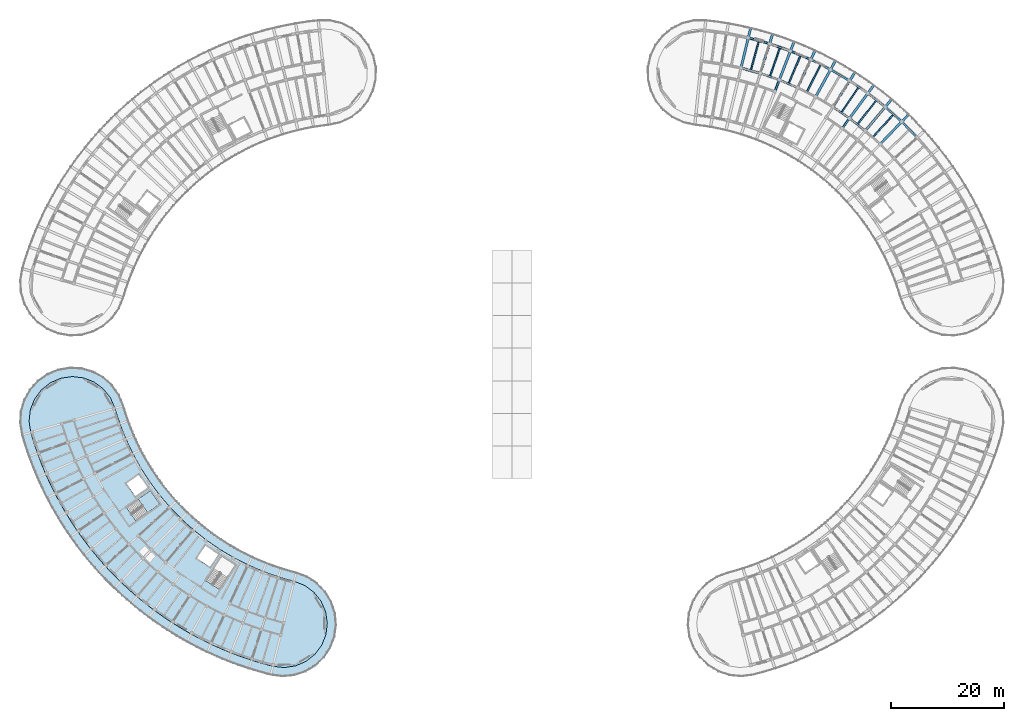
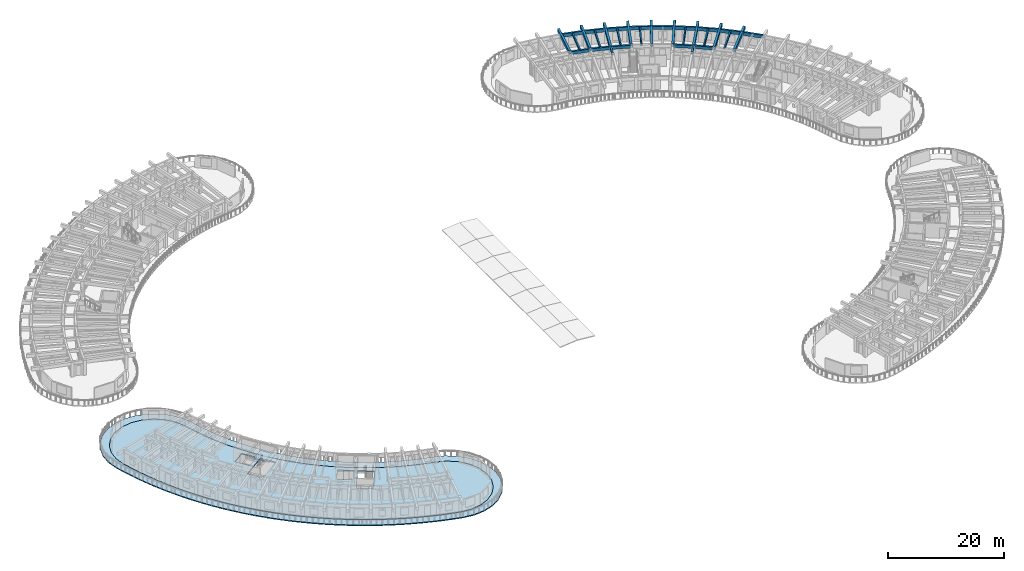
# One storey, part 17 of 69: 32 beams, 3 slabs, 1 element without a shape of its own.
"""IFC4 building model written with IfcOpenShell, lengths in metres."""

from ifc_helpers import new_model, si_unit, direction, frame, origin, origin_2d, place, context, subcontext, project, spatial, polyline, rectangle, outline, extrude, material, layer, layer_set, material_profile, profile_set, type_object, element, aggregate, save


model = new_model("IFC4")

# Units and contexts
model_context = context("Model", 3, precision=1e-05, world=origin(), true_north=direction((0.0, 1.0)))
body_context = subcontext(model_context, "Body", "Model", "MODEL_VIEW")
ifc_project = project(units=[si_unit("LENGTHUNIT", "METRE"), si_unit("AREAUNIT", "SQUARE_METRE"), si_unit("VOLUMEUNIT", "CUBIC_METRE"), si_unit("PLANEANGLEUNIT", "RADIAN"), si_unit("MASSUNIT", "GRAM", prefix="KILO")], contexts=[model_context])

# Site, building, storey
site_placement = place(None, origin())
site = spatial("IfcSite", under=ifc_project, at=site_placement, CompositionType="ELEMENT")
building_placement = place(site_placement, origin())
building = spatial("IfcBuilding", under=site, at=building_placement, Name="Tanwirah Colonnade Gardens", CompositionType="ELEMENT")
storey_placement = place(building_placement, frame((0.0, 0.0, 15.56005859375)))
storey = spatial("IfcBuildingStorey", under=building, at=storey_placement, Name="L04", CompositionType="ELEMENT", Elevation=15.56005859375)

# Beams
ifc_material_1 = material(Name="Precast concrete C40/50", Category="concrete")
ifc_material_profile_1 = material_profile(ifc_material_1, rectangle(XDim=0.320068359375, YDim=0.52001953125, at=origin_2d()), Name="PC-BM 320x520")
ifc_profile_set_1 = profile_set([ifc_material_profile_1], Name="Precast concrete C40/50")
beam_type_1 = type_object("IfcBeamType", Name="BM-PC320", PredefinedType="BEAM", material=ifc_profile_set_1)
beam_1_placement = place(storey_placement, frame((151.727783203125, 102.14990234375, 2.849853515625), z_axis=(0.590895676149, 0.806747977939, 0.0), x_axis=(-0.806747977939, 0.590895676149, 0.0)))
element("IfcBeam", 1, at=beam_1_placement, inside=storey, type_object=beam_type_1, Name="Block B L04 Corridor Tie Beam 10", PredefinedType="BEAM", context=body_context, shape_type="SweptSolid", body=[
    extrude(rectangle(XDim=0.320068359375, YDim=0.52001953125, at=origin_2d()), origin(), (0.0, 0.0, 1.0), 1.900146484375),
])
beam_2_placement = place(storey_placement, frame((139.729248046875, 108.7099609375, 2.849853515625), z_axis=(0.360175656082, 0.932884503444, 0.0), x_axis=(-0.932884503444, 0.360175656082, 0.0)))
element("IfcBeam", 2, at=beam_2_placement, inside=storey, type_object=beam_type_1, Name="Block B L04 Corridor Tie Beam 14", PredefinedType="BEAM", context=body_context, shape_type="SweptSolid", body=[
    extrude(rectangle(XDim=0.320068359375, YDim=0.52001953125, at=origin_2d()), origin(), (0.0, 0.0, 1.0), 1.89990234375),
])
ifc_material_profile_2 = material_profile(ifc_material_1, rectangle(XDim=0.35009765625, YDim=0.60009765625, at=origin_2d()), Name="PC-BM 350x600")
ifc_profile_set_2 = profile_set([ifc_material_profile_2], Name="Precast concrete C40/50")
beam_type_2 = type_object("IfcBeamType", Name="BM-PC350B", PredefinedType="BEAM", material=ifc_profile_set_2)
for number, where, z_axis, x_axis, name in (
    (3, (155.624755859375, 101.697265625, 2.81005859375), (-0.786839882256, 0.617157192044, 0.0), (-0.617157192044, -0.786839882256, 0.0), "Block B L04 Circumferential Beam 9-R2"),
    (4, (152.815185546875, 103.888427734375, 2.81005859375), (-0.825782284145, 0.563989024, 0.0), (-0.563989024, -0.825782284145, 0.0), "Block B L04 Circumferential Beam 10-R2"),
):
    element("IfcBeam", number, at=place(storey_placement, frame(where, z_axis=z_axis, x_axis=x_axis)), inside=storey, type_object=beam_type_2, Name=name, PredefinedType="BEAM", context=body_context, shape_type="SweptSolid", body=[
        extrude(rectangle(XDim=0.35009765625, YDim=0.60009765625, at=origin_2d()), origin(), (0.0, 0.0, 1.0), 3.26318359375),
    ])
for number, where, z_axis, x_axis, name in (
    (5, (143.609375, 109.288818359375, 2.81005859375), (-0.920513294115, 0.390711242938, 0.0), (-0.390711242938, -0.920513294115, 0.0), "Block B L04 Circumferential Beam 13-R2"),
    (6, (140.325927734375, 110.671630859375, 2.81005859375), (-0.944231021702, 0.329283734272, 0.0), (-0.329283734272, -0.944231021702, 0.0), "Block B L04 Circumferential Beam 14-R2"),
):
    element("IfcBeam", number, at=place(storey_placement, frame(where, z_axis=z_axis, x_axis=x_axis)), inside=storey, type_object=beam_type_2, Name=name, PredefinedType="BEAM", context=body_context, shape_type="SweptSolid", body=[
        extrude(rectangle(XDim=0.35009765625, YDim=0.60009765625, at=origin_2d()), origin(), (0.0, 0.0, 1.0), 3.262939453125),
    ])
beam_3_placement = place(storey_placement, frame((136.95849609375, 111.83544921875, 2.81005859375), z_axis=(-0.9638953302, 0.266281415833, 0.0), x_axis=(-0.266281415833, -0.9638953302, 0.0)))
element("IfcBeam", 7, at=beam_3_placement, inside=storey, type_object=beam_type_2, Name="Block B L04 Circumferential Beam 15-R2", PredefinedType="BEAM", context=body_context, shape_type="SweptSolid", body=[
    extrude(rectangle(XDim=0.35009765625, YDim=0.60009765625, at=origin_2d()), origin(), (0.0, 0.0, 1.0), 3.26318359375),
])
ifc_material_2 = material(Name="Precast concrete C45/55", Category="concrete")
ifc_material_profile_3 = material_profile(ifc_material_2, rectangle(XDim=0.419921875, YDim=0.679931640625, at=origin_2d()), Name="PC-BM 420x680")
ifc_profile_set_3 = profile_set([ifc_material_profile_3], Name="Precast concrete C45/55")
beam_type_3 = type_object("IfcBeamType", Name="BM-PC420", PredefinedType="BEAM", material=ifc_profile_set_3)
beam_4_placement = place(storey_placement, frame((158.4990234375, 99.333984375, 2.77001953125), z_axis=(0.691864746793, 0.722027127015, 0.0), x_axis=(-0.722027127015, 0.691864746793, 0.0)))
element("IfcBeam", 8, at=beam_4_placement, inside=storey, type_object=beam_type_3, Name="Block B L04 Outer Radial Precast Girder 8", PredefinedType="BEAM", context=body_context, shape_type="SweptSolid", body=[
    extrude(rectangle(XDim=0.419921875, YDim=0.679931640625, at=origin_2d()), origin(), (0.0, 0.0, 1.0), 7.050048828125),
])
beam_5_placement = place(storey_placement, frame((155.839111328125, 101.7197265625, 2.77001953125), z_axis=(0.642810291951, 0.766025409867, 0.0), x_axis=(-0.766025409867, 0.642810291951, 0.0)))
element("IfcBeam", 9, at=beam_5_placement, inside=storey, type_object=beam_type_3, Name="Block B L04 Outer Radial Precast Girder 9", PredefinedType="BEAM", context=body_context, shape_type="SweptSolid", body=[
    extrude(rectangle(XDim=0.419921875, YDim=0.679931640625, at=origin_2d()), origin(), (0.0, 0.0, 1.0), 7.0498046875),
])
for number, where, z_axis, x_axis, name in (
    (10, (153.02783203125, 103.9248046875, 2.77001953125), (0.590919194225, 0.806730751798, 0.0), (-0.806730751798, 0.590919194225, 0.0), "Block B L04 Outer Radial Precast Girder 10"),
    (11, (150.077392578125, 105.93994140625, 2.77001953125), (0.536451921133, 0.843930883611, 0.0), (-0.843930883611, 0.536451921133, 0.0), "Block B L04 Outer Radial Precast Girder 11"),
    (12, (147.00048828125, 107.75634765625, 2.77001953125), (0.479686549155, 0.877439920769, 0.0), (-0.877439920769, 0.479686549155, 0.0), "Block B L04 Outer Radial Precast Girder 12"),
    (13, (143.810546875, 109.3662109375, 2.77001953125), (0.420855908645, 0.9071275016, 0.0), (-0.9071275016, 0.420855908645, 0.0), "Block B L04 Outer Radial Precast Girder 13"),
    (14, (140.521728515625, 110.76220703125, 2.77001953125), (0.360150678391, 0.932894146651, 0.0), (-0.932894146651, 0.360150678391, 0.0), "Block B L04 Outer Radial Precast Girder 14"),
    (15, (137.147705078125, 111.938720703125, 2.77001953125), (0.297957513373, 0.954579132511, 0.0), (-0.954579132511, 0.297957513373, 0.0), "Block B L04 Outer Radial Precast Girder 15"),
):
    element("IfcBeam", number, at=place(storey_placement, frame(where, z_axis=z_axis, x_axis=x_axis)), inside=storey, type_object=beam_type_3, Name=name, PredefinedType="BEAM", context=body_context, shape_type="SweptSolid", body=[
        extrude(rectangle(XDim=0.419921875, YDim=0.679931640625, at=origin_2d()), origin(), (0.0, 0.0, 1.0), 7.050048828125),
    ])
beam_6_placement = place(storey_placement, frame((133.703857421875, 112.89013671875, 2.77001953125), z_axis=(0.234378734126, 0.972145364125, 0.0), x_axis=(-0.972145364125, 0.234378734126, 0.0)))
element("IfcBeam", 16, at=beam_6_placement, inside=storey, type_object=beam_type_3, Name="Block B L04 Outer Radial Precast Girder 16", PredefinedType="BEAM", context=body_context, shape_type="SweptSolid", body=[
    extrude(rectangle(XDim=0.419921875, YDim=0.679931640625, at=origin_2d()), origin(), (0.0, 0.0, 1.0), 7.0498046875),
])
ifc_material_profile_4 = material_profile(ifc_material_1, rectangle(XDim=0.260009765625, YDim=0.4599609375, at=origin_2d()), Name="PC-JST 260x460")
ifc_profile_set_4 = profile_set([ifc_material_profile_4], Name="Precast concrete C40/50")
beam_type_4 = type_object("IfcBeamType", Name="JST-PC260", PredefinedType="JOIST", material=ifc_profile_set_4)
for number, where, z_axis, x_axis, name in (
    (17, (157.168701171875, 100.5263671875, 2.8798828125), (0.667678987176, 0.744449306591, 0.0), (-0.744449306591, 0.667678987176, 0.0), "Block B L04 Precast Floor Joist 8"),
    (18, (154.43310546875, 102.82177734375, 2.8798828125), (0.617177687243, 0.786823806433, 0.0), (-0.786823806433, 0.617177687243, 0.0), "Block B L04 Precast Floor Joist 9"),
    (19, (151.55224609375, 104.931884765625, 2.8798828125), (0.563973225998, 0.825793073571, 0.0), (-0.825793073571, 0.563973225998, 0.0), "Block B L04 Precast Floor Joist 10"),
):
    element("IfcBeam", number, at=place(storey_placement, frame(where, z_axis=z_axis, x_axis=x_axis)), inside=storey, type_object=beam_type_4, Name=name, PredefinedType="JOIST", context=body_context, shape_type="SweptSolid", body=[
        extrude(rectangle(XDim=0.260009765625, YDim=0.4599609375, at=origin_2d()), origin(), (0.0, 0.0, 1.0), 5.260009765625),
    ])
beam_7_placement = place(storey_placement, frame((145.4052734375, 108.560791015625, 2.8798828125), z_axis=(0.450533699488, 0.892759422031, 0.0), x_axis=(-0.892759422031, 0.450533699488, 0.0)))
element("IfcBeam", 20, at=beam_7_placement, inside=storey, type_object=beam_type_4, Name="Block B L04 Precast Floor Joist 12", PredefinedType="JOIST", context=body_context, shape_type="SweptSolid", body=[
    extrude(rectangle(XDim=0.260009765625, YDim=0.4599609375, at=origin_2d()), origin(), (0.0, 0.0, 1.0), 5.26025390625),
])
for number, where, z_axis, x_axis, name in (
    (21, (142.166015625, 110.063720703125, 2.8798828125), (0.390723870106, 0.92050793442, 0.0), (-0.92050793442, 0.390723870106, 0.0), "Block B L04 Precast Floor Joist 13"),
    (22, (138.83447265625, 111.349853515625, 2.8798828125), (0.3292586038, 0.944239785131, 0.0), (-0.944239785131, 0.3292586038, 0.0), "Block B L04 Precast Floor Joist 14"),
    (23, (135.42578125, 112.413818359375, 2.8798828125), (0.266281476085, 0.963895313555, 0.0), (-0.963895313555, 0.266281476085, 0.0), "Block B L04 Precast Floor Joist 15"),
):
    element("IfcBeam", number, at=place(storey_placement, frame(where, z_axis=z_axis, x_axis=x_axis)), inside=storey, type_object=beam_type_4, Name=name, PredefinedType="JOIST", context=body_context, shape_type="SweptSolid", body=[
        extrude(rectangle(XDim=0.260009765625, YDim=0.4599609375, at=origin_2d()), origin(), (0.0, 0.0, 1.0), 5.260009765625),
    ])
ifc_material_profile_5 = material_profile(ifc_material_1, rectangle(XDim=0.3349609375, YDim=0.695068359375, at=origin_2d()), Name="PC-SP 335x695")
ifc_profile_set_5 = profile_set([ifc_material_profile_5], Name="Precast concrete C40/50")
beam_type_5 = type_object("IfcBeamType", Name="SP-PC300", PredefinedType="SPANDREL", material=ifc_profile_set_5)
beam_8_placement = place(storey_placement, frame((164.839111328125, 100.49609375, 2.762451171875), z_axis=(-0.698844493997, 0.715273635199, 0.0), x_axis=(-0.715273635199, -0.698844493997, 0.0)))
element("IfcBeam", 24, at=beam_8_placement, inside=storey, type_object=beam_type_5, Name="Block B L04 Circumferential Beam 7-R3", PredefinedType="SPANDREL", context=body_context, shape_type="SweptSolid", body=[
    extrude(rectangle(XDim=0.3349609375, YDim=0.695068359375, at=origin_2d()), origin(), (0.0, 0.0, 1.0), 3.6259765625),
])
beam_9_placement = place(storey_placement, frame((162.0888671875, 103.296875, 2.762451171875), z_axis=(-0.744444790955, 0.667684021989, 0.0), x_axis=(-0.667684021989, -0.744444790955, 0.0)))
element("IfcBeam", 25, at=beam_9_placement, inside=storey, type_object=beam_type_5, Name="Block B L04 Circumferential Beam 8-R3", PredefinedType="SPANDREL", context=body_context, shape_type="SweptSolid", body=[
    extrude(rectangle(XDim=0.3349609375, YDim=0.695068359375, at=origin_2d()), origin(), (0.0, 0.0, 1.0), 3.625732421875),
])
beam_10_placement = place(storey_placement, frame((159.159912109375, 105.91064453125, 2.762451171875), z_axis=(-0.786843799845, 0.617152197311, 0.0), x_axis=(-0.617152197311, -0.786843799845, 0.0)))
element("IfcBeam", 26, at=beam_10_placement, inside=storey, type_object=beam_type_5, Name="Block B L04 Circumferential Beam 9-R3", PredefinedType="SPANDREL", context=body_context, shape_type="SweptSolid", body=[
    extrude(rectangle(XDim=0.3349609375, YDim=0.695068359375, at=origin_2d()), origin(), (0.0, 0.0, 1.0), 3.62548828125),
])
for number, where, z_axis, x_axis, name in (
    (27, (156.0654296875, 108.325439453125, 2.762451171875), (-0.825782625102, 0.563988524776, 0.0), (-0.563988524776, -0.825782625102, 0.0), "Block B L04 Circumferential Beam 10-R3"),
    (28, (152.818359375, 110.53125, 2.762451171875), (-0.861136912545, 0.5083731089, 0.0), (-0.5083731089, -0.861136912545, 0.0), "Block B L04 Circumferential Beam 11-R3"),
):
    element("IfcBeam", number, at=place(storey_placement, frame(where, z_axis=z_axis, x_axis=x_axis)), inside=storey, type_object=beam_type_5, Name=name, PredefinedType="SPANDREL", context=body_context, shape_type="SweptSolid", body=[
        extrude(rectangle(XDim=0.3349609375, YDim=0.695068359375, at=origin_2d()), origin(), (0.0, 0.0, 1.0), 3.625732421875),
    ])
beam_11_placement = place(storey_placement, frame((149.43310546875, 112.518310546875, 2.762451171875), z_axis=(-0.892764670911, 0.450523298368, 0.0), x_axis=(-0.450523298368, -0.892764670911, 0.0)))
element("IfcBeam", 29, at=beam_11_placement, inside=storey, type_object=beam_type_5, Name="Block B L04 Circumferential Beam 12-R3", PredefinedType="SPANDREL", context=body_context, shape_type="SweptSolid", body=[
    extrude(rectangle(XDim=0.3349609375, YDim=0.695068359375, at=origin_2d()), origin(), (0.0, 0.0, 1.0), 3.6259765625),
])
for number, where, z_axis, x_axis, name in (
    (30, (145.924072265625, 114.27783203125, 2.762451171875), (-0.920494456807, 0.390755620545, 0.0), (-0.390755620545, -0.920494456807, 0.0), "Block B L04 Circumferential Beam 13-R3"),
    (31, (142.306884765625, 115.802490234375, 2.762451171875), (-0.944236700093, 0.329267450863, 0.0), (-0.329267450863, -0.944236700093, 0.0), "Block B L04 Circumferential Beam 14-R3"),
    (32, (138.59716796875, 117.085693359375, 2.762451171875), (-0.963888380927, 0.266306569792, 0.0), (-0.266306569792, -0.963888380927, 0.0), "Block B L04 Circumferential Beam 15-R3"),
):
    element("IfcBeam", number, at=place(storey_placement, frame(where, z_axis=z_axis, x_axis=x_axis)), inside=storey, type_object=beam_type_5, Name=name, PredefinedType="SPANDREL", context=body_context, shape_type="SweptSolid", body=[
        extrude(rectangle(XDim=0.3349609375, YDim=0.695068359375, at=origin_2d()), origin(), (0.0, 0.0, 1.0), 3.625732421875),
    ])

# Slab
ifc_material_3 = material(Name="White architectural precast concrete C40/50", Category="concrete")
ifc_layer_1 = layer(ifc_material_3, 0.199951171875)
ifc_layer_set_1 = layer_set([ifc_layer_1], Name="White architectural precast concrete C40/50")
slab_type_1 = type_object("IfcSlabType", Name="SL-BAL-200", PredefinedType="FLOOR", material=ifc_layer_set_1)
slab_1_placement = place(storey_placement, frame((0.0, 0.0, -0.199951171875)))
element("IfcSlab", 33, at=slab_1_placement, inside=storey, type_object=slab_type_1, Name="Block C L04 Continuous White Balcony Ribbon", PredefinedType="FLOOR", context=body_context, shape_type="SweptSolid", body=[
    extrude(outline(polyline([(23.2470703125, 54.70361328125), (22.03125, 56.421875), (20.46337890625, 57.826416015625), (18.62255859375, 58.846923828125), (16.6005859375, 59.43212890625), (14.4990234375, 59.552734375), (12.42333984375, 59.20263671875), (10.477783203125, 58.399658203125), (8.759521484375, 57.18359375), (7.35498046875, 55.615966796875), (6.33447265625, 53.77490234375), (5.749267578125, 51.7529296875), (5.62841796875, 49.651611328125), (5.978515625, 47.575927734375), (6.56396484375, 45.65380859375), (7.2119140625, 43.751953125), (7.921630859375, 41.872314453125), (8.692626953125, 40.016845703125), (9.523681640625, 38.1875), (10.414306640625, 36.386474609375), (11.363525390625, 34.61572265625), (12.369873046875, 32.876708984375), (13.432861328125, 31.171630859375), (14.55078125, 29.502197265625), (15.722900390625, 27.870361328125), (16.94775390625, 26.277587890625), (18.22412109375, 24.725830078125), (19.550537109375, 23.216796875), (20.92578125, 21.751708984375), (22.347900390625, 20.33251953125), (23.81591796875, 18.960693359375), (25.327880859375, 17.637451171875), (26.882568359375, 16.364501953125), (28.477783203125, 15.143310546875), (30.1123046875, 13.974609375), (31.7841796875, 12.860107421875), (33.491455078125, 11.801025390625), (35.232666015625, 10.79833984375), (37.005615234375, 9.85302734375), (38.80859375, 8.966552734375), (40.6396484375, 8.13916015625), (42.496826171875, 7.372314453125), (44.3779296875, 6.666748046875), (46.28125, 6.02294921875), (48.20458984375, 5.441650390625), (50.14599609375, 4.923828125), (52.232666015625, 4.646484375), (54.32861328125, 4.84033203125), (56.328857421875, 5.495849609375), (58.133056640625, 6.580078125), (59.65087890625, 8.038330078125), (60.80615234375, 9.798095703125), (61.540771484375, 11.7705078125), (61.818115234375, 13.857177734375), (61.624267578125, 15.953125), (60.96875, 17.953369140625), (59.884765625, 19.757568359375), (58.42626953125, 21.275390625), (56.666748046875, 22.4306640625), (54.694091796875, 23.165283203125), (53.34716796875, 23.524658203125), (52.0126953125, 23.927978515625), (50.692138671875, 24.37451171875), (49.386962890625, 24.8642578125), (48.0986328125, 25.396240234375), (46.828125, 25.97021484375), (45.5771484375, 26.58544921875), (44.34716796875, 27.2412109375), (43.13916015625, 27.93701171875), (41.95458984375, 28.671630859375), (40.794677734375, 29.445068359375), (39.66064453125, 30.255615234375), (38.5537109375, 31.10302734375), (37.47509765625, 31.986328125), (36.426025390625, 32.904296875), (35.407470703125, 33.856201171875), (34.420654296875, 34.8408203125), (33.466796875, 35.857177734375), (32.54638671875, 36.904296875), (31.660888671875, 37.98095703125), (30.81103515625, 39.0859375), (29.997802734375, 40.218017578125), (29.22216796875, 41.37646484375), (28.484619140625, 42.559326171875), (27.786376953125, 43.765869140625), (27.1279296875, 44.99462890625), (26.510009765625, 46.244140625), (25.933349609375, 47.51318359375), (25.3984375, 48.800537109375), (24.906005859375, 50.104736328125), (24.456298828125, 51.42431640625), (24.05029296875, 52.7578125), (23.2470703125, 54.70361328125)]), holes=[polyline([(21.68310546875, 54.173828125), (22.493408203125, 52.309814453125), (22.91455078125, 50.92724609375), (22.91455078125, 50.9267578125), (23.381103515625, 49.5576171875), (23.38134765625, 49.55712890625), (23.892333984375, 48.203857421875), (23.892578125, 48.203369140625), (24.447509765625, 46.86767578125), (24.44775390625, 46.866943359375), (25.046142578125, 45.55029296875), (25.04638671875, 45.549560546875), (25.6875, 44.253173828125), (25.687744140625, 44.25244140625), (26.37109375, 42.977783203125), (26.371337890625, 42.97705078125), (27.095947265625, 41.725341796875), (27.09619140625, 41.724853515625), (27.861328125, 40.497314453125), (27.86181640625, 40.496826171875), (28.66650390625, 39.294921875), (28.6669921875, 39.29443359375), (29.5107421875, 38.11962890625), (29.51123046875, 38.119140625), (30.392822265625, 36.97265625), (30.393310546875, 36.97216796875), (31.31201171875, 35.85498046875), (31.3125, 35.8544921875), (32.267333984375, 34.76806640625), (32.267822265625, 34.767578125), (33.257568359375, 33.713134765625), (33.258056640625, 33.712646484375), (34.281982421875, 32.69091796875), (34.282470703125, 32.690673828125), (35.339111328125, 31.702880859375), (35.339599609375, 31.70263671875), (36.42822265625, 30.75), (36.4287109375, 30.749755859375), (37.547607421875, 29.833251953125), (37.54833984375, 29.8330078125), (38.69677734375, 28.95361328125), (38.697265625, 28.953369140625), (39.873779296875, 28.112060546875), (39.874267578125, 28.111572265625), (41.077880859375, 27.309326171875), (41.078369140625, 27.30908203125), (42.307373046875, 26.546630859375), (42.30810546875, 26.54638671875), (43.5615234375, 25.824462890625), (43.56201171875, 25.82421875), (44.83837890625, 25.143798828125), (44.8388671875, 25.1435546875), (46.13671875, 24.505126953125), (46.137451171875, 24.5048828125), (47.45556640625, 23.909423828125), (47.4560546875, 23.9091796875), (48.79296875, 23.357177734375), (48.793701171875, 23.35693359375), (50.14794921875, 22.848876953125), (50.1484375, 22.8486328125), (51.5185546875, 22.38525390625), (51.519287109375, 22.385009765625), (52.90380859375, 21.966552734375), (52.904296875, 21.966552734375), (54.30078125, 21.593994140625), (56.19189453125, 20.84912109375), (57.824462890625, 19.640869140625), (59.088623046875, 18.051513671875), (59.8984375, 16.18896484375), (60.19873046875, 14.180419921875), (59.96875, 12.16259765625), (59.224365234375, 10.27294921875), (58.016357421875, 8.640380859375), (56.427001953125, 7.3759765625), (54.564453125, 6.566162109375), (52.555908203125, 6.265869140625), (50.536865234375, 6.49609375), (48.647705078125, 7.0), (46.775146484375, 7.565673828125), (44.922119140625, 8.192626953125), (43.090576171875, 8.879638671875), (41.282470703125, 9.626220703125), (39.499755859375, 10.431640625), (37.744384765625, 11.294921875), (36.01806640625, 12.21533203125), (34.322998046875, 13.19140625), (32.66064453125, 14.22265625), (31.03271484375, 15.3076171875), (29.44140625, 16.445556640625), (27.88818359375, 17.634521484375), (26.374755859375, 18.8740234375), (24.902587890625, 20.162109375), (23.473388671875, 21.497802734375), (22.088623046875, 22.879638671875), (20.749755859375, 24.305908203125), (19.458251953125, 25.775146484375), (18.215576171875, 27.2861328125), (17.023193359375, 28.836669921875), (15.8818359375, 30.425537109375), (14.79345703125, 32.051025390625), (13.758544921875, 33.7109375), (12.778564453125, 35.404052734375), (11.8544921875, 37.12841796875), (10.987548828125, 38.8818359375), (10.17822265625, 40.662841796875), (9.427490234375, 42.46923828125), (8.736572265625, 44.29931640625), (8.105712890625, 46.151123046875), (7.5361328125, 48.021240234375), (7.23583984375, 50.031005859375), (7.465576171875, 52.049072265625), (8.2099609375, 53.9384765625), (9.41796875, 55.5712890625), (11.007568359375, 56.83544921875), (12.869873046875, 57.645263671875), (14.878662109375, 57.945556640625), (16.896484375, 57.715576171875), (18.7861328125, 56.97119140625), (20.418701171875, 55.76318359375), (21.68310546875, 54.173828125)])]), origin(), (0.0, 0.0, 1.0), 0.199951171875),
])

# Stair, slab
stair_type = type_object("IfcStairType", Name="ST-RES168", PredefinedType="HALF_TURN_STAIR", material=ifc_material_1)
stair_placement = place(storey_placement, origin())
stair = element("IfcStair", 34, at=stair_placement, inside=storey, type_object=stair_type, Name="L04 Block C Core 1 Exit Stair", PredefinedType="HALF_TURN_STAIR")
ifc_layer_2 = layer(ifc_material_1, 0.205078125)
ifc_layer_set_2 = layer_set([ifc_layer_2], Name="Precast concrete C40/50")
slab_type_2 = type_object("IfcSlabType", Name="SL-LND-205", PredefinedType="LANDING", material=ifc_layer_set_2)
slab_2_placement = place(storey_placement, frame((0.0, 0.0, 1.474853515625)))
slab_2 = element("IfcSlab", 35, at=slab_2_placement, type_object=slab_type_2, Name="ST-C1 landing 1", PredefinedType="LANDING", context=body_context, shape_type="SweptSolid", body=[
    extrude(outline(polyline([(28.290283203125, 33.79052734375), (30.448974609375, 35.3017578125), (28.77392578125, 37.69384765625), (26.615478515625, 36.182373046875), (28.290283203125, 33.79052734375)])), origin(), (0.0, 0.0, 1.0), 0.205078125),
])
aggregate(stair, [slab_2])

# Slab
ifc_layer_3 = layer(ifc_material_1, 0.2548828125)
ifc_layer_set_3 = layer_set([ifc_layer_3], Name="Precast concrete C40/50")
slab_type_3 = type_object("IfcSlabType", Name="SL-RES-255", PredefinedType="FLOOR", material=ifc_layer_set_3)
slab_3_placement = place(storey_placement, frame((0.0, 0.0, -0.255126953125)))
element("IfcSlab", 36, at=slab_3_placement, inside=storey, type_object=slab_type_3, Name="Block C L04 Precast Composite Floor Slab", PredefinedType="FLOOR", context=body_context, shape_type="SweptSolid", body=[
    extrude(outline(polyline([(23.39990234375, 49.56396484375), (22.93359375, 50.93310546875), (22.51220703125, 52.31689453125), (21.7001953125, 54.18408203125), (20.4326171875, 55.777587890625), (18.7958984375, 56.98876953125), (16.9013671875, 57.735107421875), (14.878173828125, 57.965576171875), (12.864501953125, 57.664794921875), (10.9970703125, 56.852783203125), (9.403564453125, 55.585205078125), (8.1923828125, 53.948486328125), (7.446044921875, 52.053955078125), (7.215576171875, 50.03076171875), (7.5166015625, 48.016845703125), (8.086669921875, 46.14501953125), (8.7177734375, 44.29248046875), (9.408935546875, 42.4619140625), (10.159912109375, 40.65478515625), (10.969482421875, 38.873291015625), (11.836669921875, 37.119140625), (12.76123046875, 35.394287109375), (13.741455078125, 33.70068359375), (14.776611328125, 32.0400390625), (15.865478515625, 30.414306640625), (17.007080078125, 28.82470703125), (18.199951171875, 27.273681640625), (19.443115234375, 25.76220703125), (20.73486328125, 24.29248046875), (22.07421875, 22.86572265625), (23.45947265625, 21.4833984375), (24.88916015625, 20.1474609375), (26.36181640625, 18.858642578125), (27.875732421875, 17.618896484375), (29.4296875, 16.429443359375), (31.021484375, 15.291259765625), (32.649658203125, 14.205810546875), (34.312744140625, 13.17431640625), (36.00830078125, 12.19775390625), (37.735107421875, 11.277099609375), (39.4912109375, 10.41357421875), (41.2744140625, 9.60791015625), (43.083251953125, 8.861083984375), (44.91552734375, 8.173828125), (46.76904296875, 7.546630859375), (48.642333984375, 6.980712890625), (50.532958984375, 6.476318359375), (52.55615234375, 6.245849609375), (54.570068359375, 6.546875), (56.437255859375, 7.358642578125), (58.031005859375, 8.626220703125), (59.2421875, 10.26318359375), (59.98828125, 12.15771484375), (60.218994140625, 14.1806640625), (59.91796875, 16.194580078125), (59.10595703125, 18.06201171875), (57.83837890625, 19.655517578125), (56.20166015625, 20.86669921875), (54.30712890625, 21.613037109375), (52.90966796875, 21.98583984375), (51.52490234375, 22.404052734375), (50.15478515625, 22.867431640625), (48.800537109375, 23.37548828125), (47.4638671875, 23.927490234375), (46.145751953125, 24.523193359375), (44.84765625, 25.161376953125), (43.571533203125, 25.841796875), (42.318115234375, 26.563720703125), (41.0888671875, 27.326171875), (39.885498046875, 28.12841796875), (38.708740234375, 28.969482421875), (37.560302734375, 29.848876953125), (36.44140625, 30.76513671875), (35.352783203125, 31.717529296875), (34.296142578125, 32.705078125), (33.272216796875, 33.726806640625), (32.282470703125, 34.781494140625), (31.327392578125, 35.86767578125), (30.40869140625, 36.98486328125), (29.52685546875, 38.13134765625), (28.68310546875, 39.30615234375), (27.87841796875, 40.5078125), (27.11328125, 41.7353515625), (26.388671875, 42.987060546875), (25.705322265625, 44.261962890625), (25.064208984375, 45.55859375), (24.466064453125, 46.875244140625), (23.910888671875, 48.2109375), (23.39990234375, 49.56396484375)]), holes=[polyline([(24.5185546875, 34.71044921875), (28.775634765625, 37.69140625), (30.447021484375, 35.30419921875), (26.18994140625, 32.323486328125), (24.5185546875, 34.71044921875)]), polyline([(26.737060546875, 40.515869140625), (28.343017578125, 38.22216796875), (26.13134765625, 36.673583984375), (24.525390625, 38.967041015625), (26.737060546875, 40.515869140625)]), polyline([(43.900146484375, 24.486572265625), (41.069580078125, 20.1279296875), (38.625732421875, 21.715087890625), (41.4560546875, 26.073486328125), (43.900146484375, 24.486572265625)]), polyline([(39.385498046875, 24.13916015625), (37.037353515625, 25.664306640625), (38.5078125, 27.9287109375), (40.856201171875, 26.403564453125), (39.385498046875, 24.13916015625)])]), origin(), (0.0, 0.0, 1.0), 0.255126953125),
])

save(model, "model.ifc")
